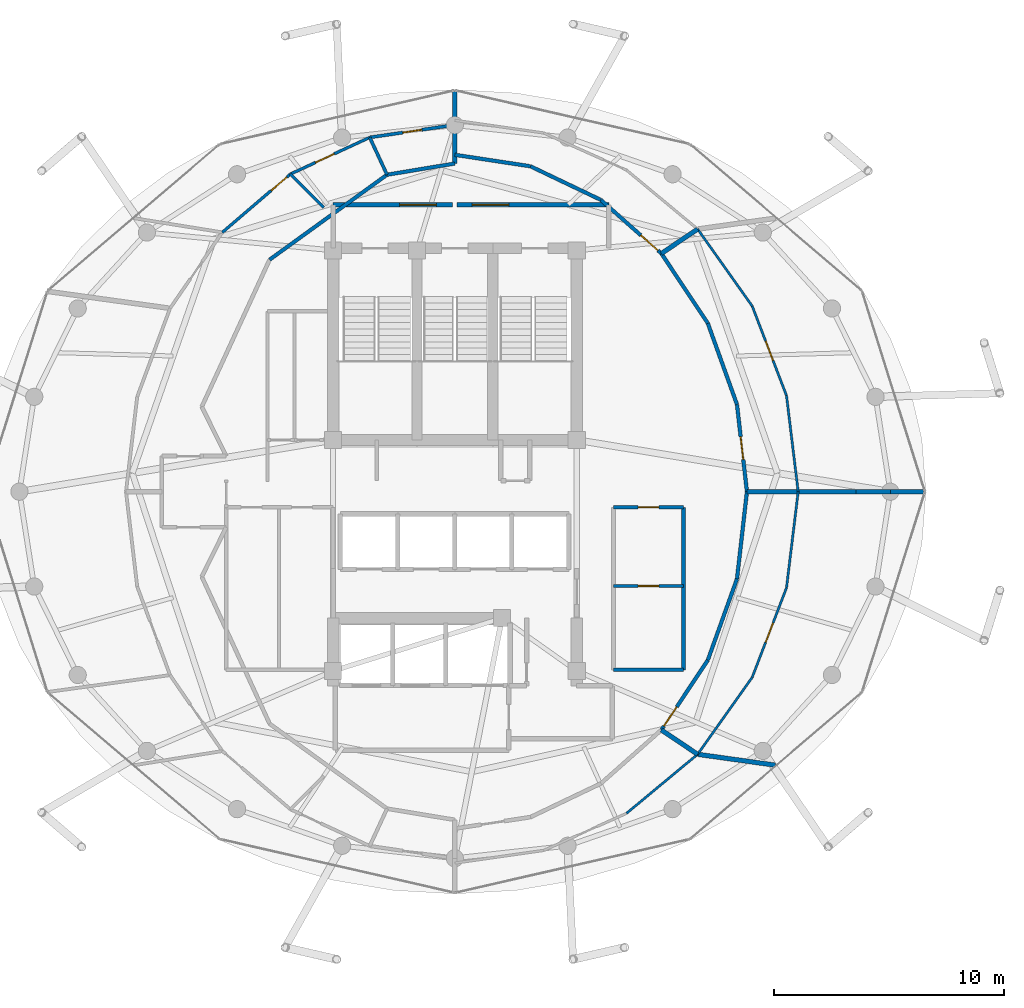
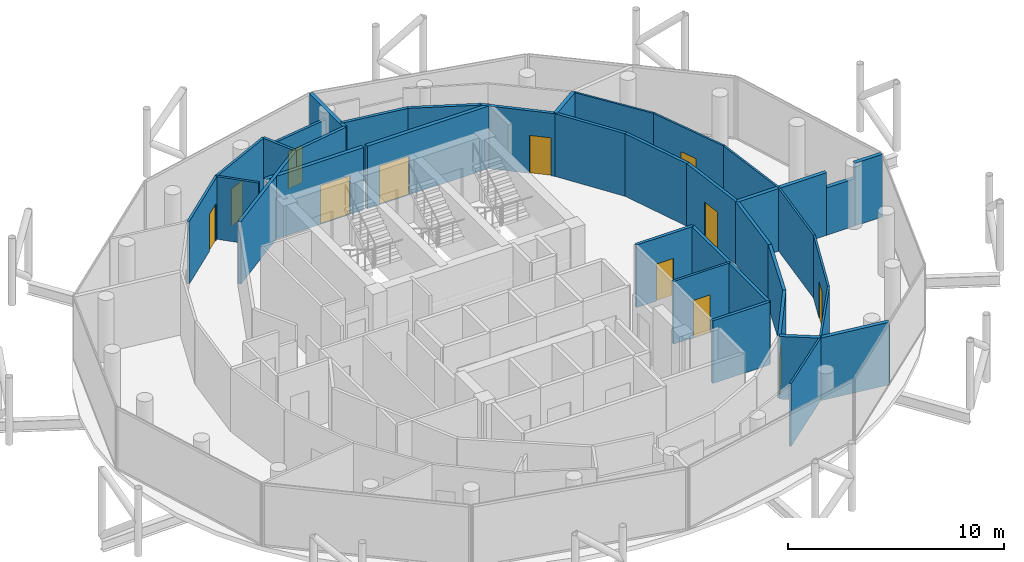
# One storey, part 22 of 24: 37 walls, 12 doors, 12 openings.
"""IFC4 building model written with IfcOpenShell, lengths in metres."""

from ifc_helpers import new_model, si_unit, direction, frame, frame_2d, origin, place, context, subcontext, project, spatial, rectangle, extrude, material, layer, layer_set, type_object, element, fill, save


model = new_model("IFC4")

# Units and contexts
model_context = context("Model", 3, precision=1e-05, world=origin(), true_north=direction((0.0, 1.0)))
body_context = subcontext(model_context, "Body", "Model", "MODEL_VIEW")
ifc_project = project(units=[si_unit("LENGTHUNIT", "METRE"), si_unit("AREAUNIT", "SQUARE_METRE"), si_unit("VOLUMEUNIT", "CUBIC_METRE"), si_unit("PLANEANGLEUNIT", "RADIAN"), si_unit("MASSUNIT", "GRAM", prefix="KILO")], contexts=[model_context])

# Site, building, storey
site_placement = place(None, origin())
site = spatial("IfcSite", under=ifc_project, at=site_placement, CompositionType="ELEMENT")
building_placement = place(site_placement, origin())
building = spatial("IfcBuilding", under=site, at=building_placement, Name="Nuhasar Tower", CompositionType="ELEMENT")
storey_placement = place(building_placement, frame((0.0, 0.0, 267.0)))
storey = spatial("IfcBuildingStorey", under=building, at=storey_placement, Name="L66", CompositionType="ELEMENT", Elevation=267.0)

# Walls
ifc_material_1 = material(Name="Gypsum Board", Category="gypsum")
ifc_layer_1 = layer(ifc_material_1, 0.159912109375)
ifc_layer_set_1 = layer_set([ifc_layer_1], Name="Gypsum Board")
wall_type_1 = type_object("IfcWallType", Name="WL-CORR-160", PredefinedType="PARTITIONING", material=ifc_layer_set_1)
wall_1_placement = place(storey_placement, frame((45.89990234375, 19.050048828125, 0.0), z_axis=(0.0, 0.0, 1.0), x_axis=(1.0, 0.0, 0.0)))
element("IfcWall", 1, at=wall_1_placement, inside=storey, type_object=wall_type_1, Name="L66 Interior Partition RECL-B2-S", PredefinedType="PARTITIONING", context=body_context, shape_type="SweptSolid", body=[
    extrude(rectangle(XDim=3.050048828125, YDim=0.159912109375, at=frame_2d((1.52490234375, 0.0))), origin(), (0.0, 0.0, 1.0), 3.5400390625),
])
wall_2_placement = place(storey_placement, frame((48.949951171875, 19.050048828125, 0.0), z_axis=(0.0, 0.0, 1.0), x_axis=(0.0, 1.0, 0.0)))
element("IfcWall", 2, at=wall_2_placement, inside=storey, type_object=wall_type_1, Name="L66 Interior Partition RECL-B2-E", PredefinedType="PARTITIONING", context=body_context, shape_type="SweptSolid", body=[
    extrude(rectangle(XDim=7.070068359375, YDim=0.159912109375, at=frame_2d((3.53515625, 0.0))), origin(), (0.0, 0.0, 1.0), 3.5400390625),
])

# Wall, opening, door
wall_3_placement = place(storey_placement, frame((48.949951171875, 26.1201171875, 0.0), z_axis=(0.0, 0.0, 1.0), x_axis=(-1.0, 0.0, 0.0)))
wall_3 = element("IfcWall", 3, at=wall_3_placement, inside=storey, type_object=wall_type_1, Name="L66 Interior Partition RECL-B2-N", PredefinedType="PARTITIONING", context=body_context, shape_type="SweptSolid", body=[
    extrude(rectangle(XDim=3.050048828125, YDim=0.159912109375, at=frame_2d((1.52490234375, 0.0))), origin(), (0.0, 0.0, 1.0), 3.5400390625),
])
opening_1_placement = place(wall_3_placement, frame((1.074951171875, 0.0, 0.0)))
opening_1 = element("IfcOpeningElement", 4, at=opening_1_placement, cuts=wall_3, Name="Opening DR-01", PredefinedType="OPENING", context=body_context, shape_type="SweptSolid", body=[
    extrude(rectangle(XDim=0.89990234375, YDim=2.10009765625, at=frame_2d((0.449951171875, 1.050048828125))), frame((0.0, 0.08984375, 0.0), z_axis=(0.0, -1.0, 0.0), x_axis=(1.0, 0.0, 0.0)), (0.0, 0.0, 1.0), 0.179931640625),
])
ifc_material_2 = material(Name="Timber Oak", Category="wood")
door_type_1 = type_object("IfcDoorType", Name="DR-ROOM-900", OperationType="NOTDEFINED", PredefinedType="DOOR", material=ifc_material_2)
door_1_placement = place(opening_1_placement, origin())
door_1 = element("IfcDoor", 5, at=door_1_placement, inside=storey, type_object=door_type_1, Name="L66 Utility Room Door", OperationType="SINGLE_SWING_LEFT", OverallHeight=2.10009765625, OverallWidth=0.89990234375, PredefinedType="DOOR", context=body_context, shape_type="SweptSolid", body=[
    extrude(rectangle(XDim=0.89990234375, YDim=2.10009765625, at=frame_2d((0.449951171875, 1.050048828125))), frame((0.0, 0.02490234375, 0.0), z_axis=(0.0, -1.0, 0.0), x_axis=(1.0, 0.0, 0.0)), (0.0, 0.0, 1.0), 0.050048828125),
])
fill(opening_1, door_1)

wall_4_placement = place(storey_placement, frame((50.007080078125, 19.469970703125, 0.0), z_axis=(0.0, 0.0, 1.0), x_axis=(-0.553958357067, -0.832544376376, 0.0)))
wall_4 = element("IfcWall", 6, at=wall_4_placement, inside=storey, type_object=wall_type_1, Name="L66 Interior Partition CORR-42", PredefinedType="PARTITIONING", context=body_context, shape_type="SweptSolid", body=[
    extrude(rectangle(XDim=3.646484375, YDim=0.159912109375, at=frame_2d((1.8232421875, 0.0))), origin(), (0.0, 0.0, 1.0), 3.5400390625),
])
opening_2_placement = place(wall_4_placement, frame((2.447021484375, 0.0, 0.0)))
opening_2 = element("IfcOpeningElement", 7, at=opening_2_placement, cuts=wall_4, Name="Opening DU-02", PredefinedType="OPENING", context=body_context, shape_type="SweptSolid", body=[
    extrude(rectangle(XDim=1.0, YDim=2.14990234375, at=frame_2d((0.5, 1.074951171875))), frame((0.0, 0.08984375, 0.0), z_axis=(0.0, -1.0, 0.0), x_axis=(1.0, 0.0, 0.0)), (0.0, 0.0, 1.0), 0.179931640625),
])
door_type_2 = type_object("IfcDoorType", Name="DR-FLAT-FD60-1000", OperationType="NOTDEFINED", PredefinedType="DOOR", material=ifc_material_2)
door_2_placement = place(opening_2_placement, origin())
door_2 = element("IfcDoor", 8, at=door_2_placement, inside=storey, type_object=door_type_2, Name="L66 Family Secretariat Office 2 Entrance Door", OperationType="SINGLE_SWING_RIGHT", OverallHeight=2.14990234375, OverallWidth=1.0, PredefinedType="DOOR", context=body_context, shape_type="SweptSolid", body=[
    extrude(rectangle(XDim=1.0, YDim=2.14990234375, at=frame_2d((0.5, 1.074951171875))), frame((0.0, 0.02490234375, 0.0), z_axis=(0.0, -1.0, 0.0), x_axis=(1.0, 0.0, 0.0)), (0.0, 0.0, 1.0), 0.050048828125),
])
fill(opening_2, door_2)

# Walls
wall_5_placement = place(storey_placement, frame((50.007080078125, 19.469970703125, 0.0), z_axis=(0.0, 0.0, 1.0), x_axis=(0.338015292257, 0.941140617655, 0.0)))
element("IfcWall", 9, at=wall_5_placement, inside=storey, type_object=wall_type_1, Name="L66 Interior Partition CORR-44", PredefinedType="PARTITIONING", context=body_context, shape_type="SweptSolid", body=[
    extrude(rectangle(XDim=3.75732421875, YDim=0.159912109375, at=frame_2d((1.878662109375, 0.0))), origin(), (0.0, 0.0, 1.0), 3.5400390625),
])
wall_6_placement = place(storey_placement, frame((51.277099609375, 23.006103515625, 0.0), z_axis=(0.0, 0.0, 1.0), x_axis=(0.113357256171, 0.993554292665, 0.0)))
element("IfcWall", 10, at=wall_6_placement, inside=storey, type_object=wall_type_1, Name="L66 Interior Partition CORR-46", PredefinedType="PARTITIONING", context=body_context, shape_type="SweptSolid", body=[
    extrude(rectangle(XDim=3.818603515625, YDim=0.159912109375, at=frame_2d((1.9091796875, 0.0))), origin(), (0.0, 0.0, 1.0), 3.5400390625),
])

# Wall, opening, door
wall_7_placement = place(storey_placement, frame((51.277099609375, 30.593994140625, 0.0), z_axis=(0.0, 0.0, 1.0), x_axis=(0.113357256171, -0.993554292665, 0.0)))
wall_7 = element("IfcWall", 11, at=wall_7_placement, inside=storey, type_object=wall_type_1, Name="L66 Interior Partition CORR-00", PredefinedType="PARTITIONING", context=body_context, shape_type="SweptSolid", body=[
    extrude(rectangle(XDim=3.818603515625, YDim=0.159912109375, at=frame_2d((1.9091796875, 0.0))), origin(), (0.0, 0.0, 1.0), 3.5400390625),
])
opening_3_placement = place(wall_7_placement, frame((1.408935546875, 0.0, 0.0)))
opening_3 = element("IfcOpeningElement", 12, at=opening_3_placement, cuts=wall_7, Name="Opening DU-02", PredefinedType="OPENING", context=body_context, shape_type="SweptSolid", body=[
    extrude(rectangle(XDim=1.0, YDim=2.14990234375, at=frame_2d((0.5, 1.074951171875))), frame((0.0, 0.08984375, 0.0), z_axis=(0.0, -1.0, 0.0), x_axis=(1.0, 0.0, 0.0)), (0.0, 0.0, 1.0), 0.179931640625),
])
door_3_placement = place(opening_3_placement, origin())
door_3 = element("IfcDoor", 13, at=door_3_placement, inside=storey, type_object=door_type_2, Name="L66 Investment Desk Office 3 Entrance Door", OperationType="SINGLE_SWING_RIGHT", OverallHeight=2.14990234375, OverallWidth=1.0, PredefinedType="DOOR", context=body_context, shape_type="SweptSolid", body=[
    extrude(rectangle(XDim=1.0, YDim=2.14990234375, at=frame_2d((0.5, 1.074951171875))), frame((0.0, 0.02490234375, 0.0), z_axis=(0.0, -1.0, 0.0), x_axis=(1.0, 0.0, 0.0)), (0.0, 0.0, 1.0), 0.050048828125),
])
fill(opening_3, door_3)

# Walls
wall_8_placement = place(storey_placement, frame((51.277099609375, 30.593994140625, 0.0), z_axis=(0.0, 0.0, 1.0), x_axis=(-0.338035964219, 0.941133192962, 0.0)))
element("IfcWall", 14, at=wall_8_placement, inside=storey, type_object=wall_type_1, Name="L66 Interior Partition CORR-02", PredefinedType="PARTITIONING", context=body_context, shape_type="SweptSolid", body=[
    extrude(rectangle(XDim=3.757080078125, YDim=0.159912109375, at=frame_2d((1.87841796875, 0.0))), origin(), (0.0, 0.0, 1.0), 3.5400390625),
])
wall_9_placement = place(storey_placement, frame((50.007080078125, 34.1298828125, 0.0), z_axis=(0.0, 0.0, 1.0), x_axis=(-0.553927480624, 0.832564920117, 0.0)))
element("IfcWall", 15, at=wall_9_placement, inside=storey, type_object=wall_type_1, Name="L66 Interior Partition CORR-04", PredefinedType="PARTITIONING", context=body_context, shape_type="SweptSolid", body=[
    extrude(rectangle(XDim=3.646728515625, YDim=0.159912109375, at=frame_2d((1.8232421875, 0.0))), origin(), (0.0, 0.0, 1.0), 3.5400390625),
])

# Wall, opening, door
wall_10_placement = place(storey_placement, frame((45.35498046875, 39.49609375, 0.0), z_axis=(0.0, 0.0, 1.0), x_axis=(0.748756574311, -0.662845074226, 0.0)))
wall_10 = element("IfcWall", 16, at=wall_10_placement, inside=storey, type_object=wall_type_1, Name="L66 Interior Partition CORR-06", PredefinedType="PARTITIONING", context=body_context, shape_type="SweptSolid", body=[
    extrude(rectangle(XDim=3.515380859375, YDim=0.159912109375, at=frame_2d((1.7578125, 0.0))), origin(), (0.0, 0.0, 1.0), 3.5400390625),
])
opening_4_placement = place(wall_10_placement, frame((2.31494140625, 0.0, 0.0)))
opening_4 = element("IfcOpeningElement", 17, at=opening_4_placement, cuts=wall_10, Name="Opening DU-02", PredefinedType="OPENING", context=body_context, shape_type="SweptSolid", body=[
    extrude(rectangle(XDim=1.0, YDim=2.14990234375, at=frame_2d((0.5, 1.074951171875))), frame((0.0, 0.08984375, 0.0), z_axis=(0.0, -1.0, 0.0), x_axis=(1.0, 0.0, 0.0)), (0.0, 0.0, 1.0), 0.179931640625),
])
door_4_placement = place(opening_4_placement, origin())
door_4 = element("IfcDoor", 18, at=door_4_placement, inside=storey, type_object=door_type_2, Name="L66 Diplomatic Briefing Room Entrance Door", OperationType="SINGLE_SWING_RIGHT", OverallHeight=2.14990234375, OverallWidth=1.0, PredefinedType="DOOR", context=body_context, shape_type="SweptSolid", body=[
    extrude(rectangle(XDim=1.0, YDim=2.14990234375, at=frame_2d((0.5, 1.074951171875))), frame((0.0, 0.02490234375, 0.0), z_axis=(0.0, -1.0, 0.0), x_axis=(1.0, 0.0, 0.0)), (0.0, 0.0, 1.0), 0.050048828125),
])
fill(opening_4, door_4)

# Walls
wall_11_placement = place(storey_placement, frame((45.35498046875, 39.49609375, 0.0), z_axis=(0.0, 0.0, 1.0), x_axis=(-0.902360348414, 0.430982368097, 0.0)))
element("IfcWall", 19, at=wall_11_placement, inside=storey, type_object=wall_type_1, Name="L66 Interior Partition CORR-08", PredefinedType="PARTITIONING", context=body_context, shape_type="SweptSolid", body=[
    extrude(rectangle(XDim=3.396484375, YDim=0.159912109375, at=frame_2d((1.6982421875, 0.0))), origin(), (0.0, 0.0, 1.0), 3.5400390625),
])
wall_12_placement = place(storey_placement, frame((42.2900390625, 40.9599609375, 0.0), z_axis=(0.0, 0.0, 1.0), x_axis=(-0.988648231668, 0.150248707217, 0.0)))
element("IfcWall", 20, at=wall_12_placement, inside=storey, type_object=wall_type_1, Name="L66 Interior Partition CORR-10", PredefinedType="PARTITIONING", context=body_context, shape_type="SweptSolid", body=[
    extrude(rectangle(XDim=3.327880859375, YDim=0.159912109375, at=frame_2d((1.6640625, 0.0))), origin(), (0.0, 0.0, 1.0), 3.5400390625),
])
wall_13_placement = place(storey_placement, frame((39.0, 41.080078125, 0.0), z_axis=(0.0, 0.0, 1.0), x_axis=(-0.986650832406, -0.162850038111, 0.0)))
element("IfcWall", 21, at=wall_13_placement, inside=storey, type_object=wall_type_1, Name="L66 Interior Partition UWEST-CORE-N1-12", PredefinedType="PARTITIONING", context=body_context, shape_type="SweptSolid", body=[
    extrude(rectangle(XDim=2.990966796875, YDim=0.159912109375, at=frame_2d((1.49560546875, 0.0))), origin(), (0.0, 0.0, 1.0), 3.5400390625),
])
wall_14_placement = place(storey_placement, frame((36.049072265625, 40.593017578125, 0.0), z_axis=(0.0, 0.0, 1.0), x_axis=(-0.810271736342, -0.58605436035, 0.0)))
element("IfcWall", 22, at=wall_14_placement, inside=storey, type_object=wall_type_1, Name="L66 Interior Partition UWEST-CORE-N2-14", PredefinedType="PARTITIONING", context=body_context, shape_type="SweptSolid", body=[
    extrude(rectangle(XDim=6.306640625, YDim=0.159912109375, at=frame_2d((3.1533203125, 0.0))), origin(), (0.0, 0.0, 1.0), 3.5400390625),
])

# Wall, opening, door
ifc_material_3 = material(Name="Concrete C45/55", Category="concrete")
ifc_layer_2 = layer(ifc_material_3, 0.199951171875)
ifc_layer_set_2 = layer_set([ifc_layer_2], Name="Concrete C45/55")
wall_type_2 = type_object("IfcWallType", Name="WL-LOBBY-200", PredefinedType="SOLIDWALL", material=ifc_layer_set_2)
wall_15_placement = place(storey_placement, frame((38.89990234375, 39.280029296875, 0.0), z_axis=(0.0, 0.0, 1.0), x_axis=(-1.0, 0.0, 0.0)))
wall_15 = element("IfcWall", 23, at=wall_15_placement, inside=storey, type_object=wall_type_2, Name="L66 Interior Partition NSL-N1", PredefinedType="SOLIDWALL", context=body_context, shape_type="SweptSolid", body=[
    extrude(rectangle(XDim=5.199951171875, YDim=0.199951171875, at=frame_2d((2.60009765625, 0.0))), origin(), (0.0, 0.0, 1.0), 3.5400390625),
])
opening_5_placement = place(wall_15_placement, frame((0.7080078125, 0.0, 0.0)))
opening_5 = element("IfcOpeningElement", 24, at=opening_5_placement, cuts=wall_15, Name="Opening DC-01", PredefinedType="OPENING", context=body_context, shape_type="SweptSolid", body=[
    extrude(rectangle(XDim=1.60009765625, YDim=2.199951171875, at=frame_2d((0.800048828125, 1.10009765625))), frame((0.0, 0.10986328125, 0.0), z_axis=(0.0, -1.0, 0.0), x_axis=(1.0, 0.0, 0.0)), (0.0, 0.0, 1.0), 0.219970703125),
])
ifc_material_4 = material(Name="Steel S355", Category="steel")
door_type_3 = type_object("IfcDoorType", Name="DR-CORR-FD60-1600", OperationType="DOUBLE_DOOR_SINGLE_SWING", PredefinedType="DOOR", material=ifc_material_4)
door_5_placement = place(opening_5_placement, origin())
door_5 = element("IfcDoor", 25, at=door_5_placement, inside=storey, type_object=door_type_3, Name="L66 North Stair Lobby West Door", OperationType="DOUBLE_DOOR_SINGLE_SWING", OverallHeight=2.199951171875, OverallWidth=1.60009765625, PredefinedType="DOOR", context=body_context, shape_type="SweptSolid", body=[
    extrude(rectangle(XDim=1.60009765625, YDim=2.199951171875, at=frame_2d((0.800048828125, 1.10009765625))), frame((0.0, 0.02490234375, 0.0), z_axis=(0.0, -1.0, 0.0), x_axis=(1.0, 0.0, 0.0)), (0.0, 0.0, 1.0), 0.050048828125),
])
fill(opening_5, door_5)

wall_16_placement = place(storey_placement, frame((45.699951171875, 39.280029296875, 0.0), z_axis=(0.0, 0.0, 1.0), x_axis=(-1.0, 0.0, 0.0)))
wall_16 = element("IfcWall", 26, at=wall_16_placement, inside=storey, type_object=wall_type_2, Name="L66 Interior Partition NSL-N2", PredefinedType="SOLIDWALL", context=body_context, shape_type="SweptSolid", body=[
    extrude(rectangle(XDim=6.599853515625, YDim=0.199951171875, at=frame_2d((3.2998046875, 0.0))), origin(), (0.0, 0.0, 1.0), 3.5400390625),
])
opening_6_placement = place(wall_16_placement, frame((4.35009765625, 0.0, 0.0)))
opening_6 = element("IfcOpeningElement", 27, at=opening_6_placement, cuts=wall_16, Name="Opening DC-01", PredefinedType="OPENING", context=body_context, shape_type="SweptSolid", body=[
    extrude(rectangle(XDim=1.60009765625, YDim=2.199951171875, at=frame_2d((0.800048828125, 1.10009765625))), frame((0.0, 0.10986328125, 0.0), z_axis=(0.0, -1.0, 0.0), x_axis=(1.0, 0.0, 0.0)), (0.0, 0.0, 1.0), 0.219970703125),
])
door_6_placement = place(opening_6_placement, origin())
door_6 = element("IfcDoor", 28, at=door_6_placement, inside=storey, type_object=door_type_3, Name="L66 North Stair Lobby East Door", OperationType="DOUBLE_DOOR_SINGLE_SWING", OverallHeight=2.199951171875, OverallWidth=1.60009765625, PredefinedType="DOOR", context=body_context, shape_type="SweptSolid", body=[
    extrude(rectangle(XDim=1.60009765625, YDim=2.199951171875, at=frame_2d((0.800048828125, 1.10009765625))), frame((0.0, 0.02490234375, 0.0), z_axis=(0.0, -1.0, 0.0), x_axis=(1.0, 0.0, 0.0)), (0.0, 0.0, 1.0), 0.050048828125),
])
fill(opening_6, door_6)

# Walls
ifc_material_5 = material(Name="Aluminium 6063-T6", Category="aluminium")
ifc_layer_3 = layer(ifc_material_5, 0.10009765625)
ifc_layer_set_3 = layer_set([ifc_layer_3], Name="Aluminium 6063-T6")
wall_type_3 = type_object("IfcWallType", Name="WL-MOVABLE-100", PredefinedType="MOVABLE", material=ifc_layer_set_3)
wall_17_placement = place(storey_placement, frame((46.469970703125, 12.804931640625, 0.0), z_axis=(0.0, 0.0, 1.0), x_axis=(0.769468998704, 0.638684162974, 0.0)))
element("IfcWall", 29, at=wall_17_placement, inside=storey, type_object=wall_type_3, Name="L66 Interior Partition UMID5-01-40", PredefinedType="MOVABLE", context=body_context, shape_type="SweptSolid", body=[
    extrude(rectangle(XDim=4.02099609375, YDim=0.10009765625, at=frame_2d((2.010498046875, 0.0))), origin(), (0.0, 0.0, 1.0), 3.5400390625),
])
wall_18_placement = place(storey_placement, frame((49.56396484375, 15.373046875, 0.0), z_axis=(0.0, 0.0, 1.0), x_axis=(0.578550422028, 0.815646620278, 0.0)))
element("IfcWall", 30, at=wall_18_placement, inside=storey, type_object=wall_type_3, Name="L66 Interior Partition UMID5-02-42", PredefinedType="MOVABLE", context=body_context, shape_type="SweptSolid", body=[
    extrude(rectangle(XDim=4.103515625, YDim=0.10009765625, at=frame_2d((2.0517578125, 0.0))), origin(), (0.0, 0.0, 1.0), 3.5400390625),
])

# Wall, opening, door
wall_19_placement = place(storey_placement, frame((51.93798828125, 18.719970703125, 0.0), z_axis=(0.0, 0.0, 1.0), x_axis=(0.357743876103, 0.933819746584, 0.0)))
wall_19 = element("IfcWall", 31, at=wall_19_placement, inside=storey, type_object=wall_type_3, Name="L66 Interior Partition UMID5-02-44", PredefinedType="MOVABLE", context=body_context, shape_type="SweptSolid", body=[
    extrude(rectangle(XDim=4.173095703125, YDim=0.10009765625, at=frame_2d((2.08642578125, 0.0))), origin(), (0.0, 0.0, 1.0), 3.5400390625),
])
opening_7_placement = place(wall_19_placement, frame((1.636962890625, 0.0, 0.0)))
opening_7 = element("IfcOpeningElement", 32, at=opening_7_placement, cuts=wall_19, Name="Opening DR-01", PredefinedType="OPENING", context=body_context, shape_type="SweptSolid", body=[
    extrude(rectangle(XDim=0.89990234375, YDim=2.10009765625, at=frame_2d((0.449951171875, 1.050048828125))), frame((0.0, 0.06005859375, 0.0), z_axis=(0.0, -1.0, 0.0), x_axis=(1.0, 0.0, 0.0)), (0.0, 0.0, 1.0), 0.1201171875),
])
door_7_placement = place(opening_7_placement, origin())
door_7 = element("IfcDoor", 33, at=door_7_placement, inside=storey, type_object=door_type_1, Name="L66 Family Secretariat Office 2 Inner Door", OperationType="SINGLE_SWING_RIGHT", OverallHeight=2.10009765625, OverallWidth=0.89990234375, PredefinedType="DOOR", context=body_context, shape_type="SweptSolid", body=[
    extrude(rectangle(XDim=0.89990234375, YDim=2.10009765625, at=frame_2d((0.449951171875, 1.050048828125))), frame((0.0, 0.02490234375, 0.0), z_axis=(0.0, -1.0, 0.0), x_axis=(1.0, 0.0, 0.0)), (0.0, 0.0, 1.0), 0.050048828125),
])
fill(opening_7, door_7)

# Walls
wall_20_placement = place(storey_placement, frame((53.430908203125, 22.616943359375, 0.0), z_axis=(0.0, 0.0, 1.0), x_axis=(0.120796783092, 0.992677257317, 0.0)))
element("IfcWall", 34, at=wall_20_placement, inside=storey, type_object=wall_type_3, Name="L66 Interior Partition UMID5-02-46", PredefinedType="MOVABLE", context=body_context, shape_type="SweptSolid", body=[
    extrude(rectangle(XDim=4.2138671875, YDim=0.10009765625, at=frame_2d((2.10693359375, 0.0))), origin(), (0.0, 0.0, 1.0), 3.5400390625),
])
wall_21_placement = place(storey_placement, frame((53.93994140625, 26.800048828125, 0.0), z_axis=(0.0, 0.0, 1.0), x_axis=(-0.120803730736, 0.992676411848, 0.0)))
element("IfcWall", 35, at=wall_21_placement, inside=storey, type_object=wall_type_3, Name="L66 Interior Partition UMID5-03-00", PredefinedType="MOVABLE", context=body_context, shape_type="SweptSolid", body=[
    extrude(rectangle(XDim=4.213623046875, YDim=0.10009765625, at=frame_2d((2.10693359375, 0.0))), origin(), (0.0, 0.0, 1.0), 3.5400390625),
])

# Wall, opening, door
wall_22_placement = place(storey_placement, frame((53.430908203125, 30.98291015625, 0.0), z_axis=(0.0, 0.0, 1.0), x_axis=(-0.357743876103, 0.933819746584, 0.0)))
wall_22 = element("IfcWall", 36, at=wall_22_placement, inside=storey, type_object=wall_type_3, Name="L66 Interior Partition UMID5-03-02", PredefinedType="MOVABLE", context=body_context, shape_type="SweptSolid", body=[
    extrude(rectangle(XDim=4.173095703125, YDim=0.10009765625, at=frame_2d((2.08642578125, 0.0))), origin(), (0.0, 0.0, 1.0), 3.5400390625),
])
opening_8_placement = place(wall_22_placement, frame((1.636962890625, 0.0, 0.0)))
opening_8 = element("IfcOpeningElement", 37, at=opening_8_placement, cuts=wall_22, Name="Opening DR-01", PredefinedType="OPENING", context=body_context, shape_type="SweptSolid", body=[
    extrude(rectangle(XDim=0.89990234375, YDim=2.10009765625, at=frame_2d((0.449951171875, 1.050048828125))), frame((0.0, 0.06005859375, 0.0), z_axis=(0.0, -1.0, 0.0), x_axis=(1.0, 0.0, 0.0)), (0.0, 0.0, 1.0), 0.1201171875),
])
door_8_placement = place(opening_8_placement, origin())
door_8 = element("IfcDoor", 38, at=door_8_placement, inside=storey, type_object=door_type_1, Name="L66 Investment Desk Office 3 Inner Door", OperationType="SINGLE_SWING_LEFT", OverallHeight=2.10009765625, OverallWidth=0.89990234375, PredefinedType="DOOR", context=body_context, shape_type="SweptSolid", body=[
    extrude(rectangle(XDim=0.89990234375, YDim=2.10009765625, at=frame_2d((0.449951171875, 1.050048828125))), frame((0.0, 0.02490234375, 0.0), z_axis=(0.0, -1.0, 0.0), x_axis=(1.0, 0.0, 0.0)), (0.0, 0.0, 1.0), 0.050048828125),
])
fill(opening_8, door_8)

# Wall
wall_23_placement = place(storey_placement, frame((51.93798828125, 34.8798828125, 0.0), z_axis=(0.0, 0.0, 1.0), x_axis=(-0.578522346771, 0.815666533754, 0.0)))
element("IfcWall", 39, at=wall_23_placement, inside=storey, type_object=wall_type_3, Name="L66 Interior Partition UMID5-03-04", PredefinedType="MOVABLE", context=body_context, shape_type="SweptSolid", body=[
    extrude(rectangle(XDim=4.103515625, YDim=0.10009765625, at=frame_2d((2.0517578125, 0.0))), origin(), (0.0, 0.0, 1.0), 3.5400390625),
])

# Wall, opening, door
ifc_layer_4 = layer(ifc_material_1, 0.125)
ifc_layer_set_4 = layer_set([ifc_layer_4], Name="Gypsum Board")
wall_type_4 = type_object("IfcWallType", Name="WL-PART-125", PredefinedType="PARTITIONING", material=ifc_layer_set_4)
wall_24_placement = place(storey_placement, frame((48.949951171875, 22.699951171875, 0.0), z_axis=(0.0, 0.0, 1.0), x_axis=(-1.0, 0.0, 0.0)))
wall_24 = element("IfcWall", 40, at=wall_24_placement, inside=storey, type_object=wall_type_4, Name="L66 Interior Partition RECL-B2-M", PredefinedType="PARTITIONING", context=body_context, shape_type="SweptSolid", body=[
    extrude(rectangle(XDim=3.050048828125, YDim=0.125, at=frame_2d((1.52490234375, 0.0))), origin(), (0.0, 0.0, 1.0), 3.5400390625),
])
opening_9_placement = place(wall_24_placement, frame((1.074951171875, 0.0, 0.0)))
opening_9 = element("IfcOpeningElement", 41, at=opening_9_placement, cuts=wall_24, Name="Opening DR-01", PredefinedType="OPENING", context=body_context, shape_type="SweptSolid", body=[
    extrude(rectangle(XDim=0.89990234375, YDim=2.10009765625, at=frame_2d((0.449951171875, 1.050048828125))), frame((0.0, 0.072509765625, 0.0), z_axis=(0.0, -1.0, 0.0), x_axis=(1.0, 0.0, 0.0)), (0.0, 0.0, 1.0), 0.14501953125),
])
door_9_placement = place(opening_9_placement, origin())
door_9 = element("IfcDoor", 42, at=door_9_placement, inside=storey, type_object=door_type_1, Name="L66 Inner Vault Door", OperationType="SINGLE_SWING_RIGHT", OverallHeight=2.10009765625, OverallWidth=0.89990234375, PredefinedType="DOOR", context=body_context, shape_type="SweptSolid", body=[
    extrude(rectangle(XDim=0.89990234375, YDim=2.10009765625, at=frame_2d((0.449951171875, 1.050048828125))), frame((0.0, 0.02490234375, 0.0), z_axis=(0.0, -1.0, 0.0), x_axis=(1.0, 0.0, 0.0)), (0.0, 0.0, 1.0), 0.050048828125),
])
fill(opening_9, door_9)

# Wall
wall_25_placement = place(storey_placement, frame((33.300048828125, 39.1669921875, 0.0), z_axis=(0.0, 0.0, 1.0), x_axis=(-0.707106781187, 0.707106781187, 0.0)))
element("IfcWall", 43, at=wall_25_placement, inside=storey, type_object=wall_type_4, Name="L66 Interior Partition USI-1-KD", PredefinedType="PARTITIONING", context=body_context, shape_type="SweptSolid", body=[
    extrude(rectangle(XDim=2.057861328125, YDim=0.125, at=frame_2d((1.02880859375, 0.0))), origin(), (0.0, 0.0, 1.0), 3.5400390625),
])

# Wall, opening, door
wall_26_placement = place(storey_placement, frame((31.844970703125, 40.6220703125, 0.0), z_axis=(0.0, 0.0, 1.0), x_axis=(0.907833398029, 0.419331040377, 0.0)))
wall_26 = element("IfcWall", 44, at=wall_26_placement, inside=storey, type_object=wall_type_4, Name="L66 Interior Partition USM-1-K-14", PredefinedType="PARTITIONING", context=body_context, shape_type="SweptSolid", body=[
    extrude(rectangle(XDim=3.80126953125, YDim=0.125, at=frame_2d((1.900634765625, 0.0))), origin(), (0.0, 0.0, 1.0), 3.5400390625),
])
opening_10_placement = place(wall_26_placement, frame((1.199951171875, 0.0, 0.0)))
opening_10 = element("IfcOpeningElement", 45, at=opening_10_placement, cuts=wall_26, Name="Opening DR-01", PredefinedType="OPENING", context=body_context, shape_type="SweptSolid", body=[
    extrude(rectangle(XDim=0.89990234375, YDim=2.10009765625, at=frame_2d((0.449951171875, 1.050048828125))), frame((0.0, 0.072509765625, 0.0), z_axis=(0.0, -1.0, 0.0), x_axis=(1.0, 0.0, 0.0)), (0.0, 0.0, 1.0), 0.14501953125),
])
door_10_placement = place(opening_10_placement, origin())
door_10 = element("IfcDoor", 46, at=door_10_placement, inside=storey, type_object=door_type_1, Name="L66 North-West Sky Home Kitchen Door", OperationType="SINGLE_SWING_LEFT", OverallHeight=2.10009765625, OverallWidth=0.89990234375, PredefinedType="DOOR", context=body_context, shape_type="SweptSolid", body=[
    extrude(rectangle(XDim=0.89990234375, YDim=2.10009765625, at=frame_2d((0.449951171875, 1.050048828125))), frame((0.0, 0.02490234375, 0.0), z_axis=(0.0, -1.0, 0.0), x_axis=(1.0, 0.0, 0.0)), (0.0, 0.0, 1.0), 0.050048828125),
])
fill(opening_10, door_10)

wall_27_placement = place(storey_placement, frame((28.881103515625, 38.0849609375, 0.0), z_axis=(0.0, 0.0, 1.0), x_axis=(0.759680489992, 0.650296511697, 0.0)))
wall_27 = element("IfcWall", 47, at=wall_27_placement, inside=storey, type_object=wall_type_4, Name="L66 Interior Partition USM-1-D-16", PredefinedType="PARTITIONING", context=body_context, shape_type="SweptSolid", body=[
    extrude(rectangle(XDim=3.9013671875, YDim=0.125, at=frame_2d((1.95068359375, 0.0))), origin(), (0.0, 0.0, 1.0), 3.5400390625),
])
opening_11_placement = place(wall_27_placement, frame((2.801025390625, 0.0, 0.0)))
opening_11 = element("IfcOpeningElement", 48, at=opening_11_placement, cuts=wall_27, Name="Opening DR-01", PredefinedType="OPENING", context=body_context, shape_type="SweptSolid", body=[
    extrude(rectangle(XDim=0.89990234375, YDim=2.10009765625, at=frame_2d((0.449951171875, 1.050048828125))), frame((0.0, 0.072509765625, 0.0), z_axis=(0.0, -1.0, 0.0), x_axis=(1.0, 0.0, 0.0)), (0.0, 0.0, 1.0), 0.14501953125),
])
door_11_placement = place(opening_11_placement, origin())
door_11 = element("IfcDoor", 49, at=door_11_placement, inside=storey, type_object=door_type_1, Name="L66 North-West Sky Home Master Bedroom Door", OperationType="SINGLE_SWING_RIGHT", OverallHeight=2.10009765625, OverallWidth=0.89990234375, PredefinedType="DOOR", context=body_context, shape_type="SweptSolid", body=[
    extrude(rectangle(XDim=0.89990234375, YDim=2.10009765625, at=frame_2d((0.449951171875, 1.050048828125))), frame((0.0, 0.02490234375, 0.0), z_axis=(0.0, -1.0, 0.0), x_axis=(1.0, 0.0, 0.0)), (0.0, 0.0, 1.0), 0.050048828125),
])
fill(opening_11, door_11)

# Walls
ifc_material_6 = material(Name="Concrete C40/50 precast", Category="concrete")
ifc_layer_5 = layer(ifc_material_6, 0.199951171875)
ifc_layer_set_5 = layer_set([ifc_layer_5], Name="Concrete C40/50 precast")
wall_type_5 = type_object("IfcWallType", Name="WL-UNIT-200", PredefinedType="PARTITIONING", material=ifc_layer_set_5)
wall_28_placement = place(storey_placement, frame((39.0, 41.080078125, 0.0), z_axis=(0.0, 0.0, 1.0), x_axis=(0.0, 1.0, 0.0)))
element("IfcWall", 50, at=wall_28_placement, inside=storey, type_object=wall_type_5, Name="L66 Interior Partition URAD-12-NW", PredefinedType="PARTITIONING", context=body_context, shape_type="SweptSolid", body=[
    extrude(rectangle(XDim=3.14501953125, YDim=0.199951171875, at=frame_2d((1.572509765625, 0.0))), origin(), (0.0, 0.0, 1.0), 3.5400390625),
])
wall_29_placement = place(storey_placement, frame((47.987060546875, 16.43408203125, 0.0), z_axis=(0.0, 0.0, 1.0), x_axis=(0.829671269714, -0.558252258581, 0.0)))
element("IfcWall", 51, at=wall_29_placement, inside=storey, type_object=wall_type_5, Name="L66 Interior Partition URAD5-42-S1", PredefinedType="PARTITIONING", context=body_context, shape_type="SweptSolid", body=[
    extrude(rectangle(XDim=1.900634765625, YDim=0.199951171875, at=frame_2d((0.9501953125, 0.0))), origin(), (0.0, 0.0, 1.0), 3.5400390625),
])
wall_30_placement = place(storey_placement, frame((49.56396484375, 15.373046875, 0.0), z_axis=(0.0, 0.0, 1.0), x_axis=(0.99034390299, -0.138632441405, 0.0)))
element("IfcWall", 52, at=wall_30_placement, inside=storey, type_object=wall_type_5, Name="L66 Interior Partition URAD5-42-S2", PredefinedType="PARTITIONING", context=body_context, shape_type="SweptSolid", body=[
    extrude(rectangle(XDim=3.419921875, YDim=0.199951171875, at=frame_2d((1.7099609375, 0.0))), origin(), (0.0, 0.0, 1.0), 3.5400390625),
])
wall_31_placement = place(storey_placement, frame((51.7099609375, 26.800048828125, 0.0), z_axis=(0.0, 0.0, 1.0), x_axis=(1.0, 0.0, 0.0)))
element("IfcWall", 53, at=wall_31_placement, inside=storey, type_object=wall_type_5, Name="L66 Interior Partition URAD5-00-S1", PredefinedType="PARTITIONING", context=body_context, shape_type="SweptSolid", body=[
    extrude(rectangle(XDim=2.22998046875, YDim=0.199951171875, at=frame_2d((1.114990234375, 0.0))), origin(), (0.0, 0.0, 1.0), 3.5400390625),
])
wall_32_placement = place(storey_placement, frame((53.93994140625, 26.800048828125, 0.0), z_axis=(0.0, 0.0, 1.0), x_axis=(1.0, 0.0, 0.0)))
element("IfcWall", 54, at=wall_32_placement, inside=storey, type_object=wall_type_5, Name="L66 Interior Partition URAD5-00-S2", PredefinedType="PARTITIONING", context=body_context, shape_type="SweptSolid", body=[
    extrude(rectangle(XDim=2.506103515625, YDim=0.199951171875, at=frame_2d((1.2529296875, 0.0))), origin(), (0.0, 0.0, 1.0), 3.5400390625),
])
wall_33_placement = place(storey_placement, frame((56.446044921875, 26.800048828125, 0.0), z_axis=(0.0, 0.0, 1.0), x_axis=(1.0, 0.0, 0.0)))
element("IfcWall", 55, at=wall_33_placement, inside=storey, type_object=wall_type_5, Name="L66 Interior Partition URAD5-00-S2", PredefinedType="PARTITIONING", context=body_context, shape_type="SweptSolid", body=[
    extrude(rectangle(XDim=1.52001953125, YDim=0.199951171875, at=frame_2d((0.760009765625, 0.0))), origin(), (0.0, 0.0, 1.0), 2.679931640625),
])
wall_34_placement = place(storey_placement, frame((57.966064453125, 26.800048828125, 0.0), z_axis=(0.0, 0.0, 1.0), x_axis=(1.0, 0.0, 0.0)))
element("IfcWall", 56, at=wall_34_placement, inside=storey, type_object=wall_type_5, Name="L66 Interior Partition URAD5-00-S2", PredefinedType="PARTITIONING", context=body_context, shape_type="SweptSolid", body=[
    extrude(rectangle(XDim=1.458984375, YDim=0.199951171875, at=frame_2d((0.7294921875, 0.0))), origin(), (0.0, 0.0, 1.0), 3.5400390625),
])
wall_35_placement = place(storey_placement, frame((47.987060546875, 37.166015625, 0.0), z_axis=(0.0, 0.0, 1.0), x_axis=(0.829671269714, 0.558252258581, 0.0)))
element("IfcWall", 57, at=wall_35_placement, inside=storey, type_object=wall_type_5, Name="L66 Interior Partition URAD5-06-S1", PredefinedType="PARTITIONING", context=body_context, shape_type="SweptSolid", body=[
    extrude(rectangle(XDim=1.900634765625, YDim=0.199951171875, at=frame_2d((0.9501953125, 0.0))), origin(), (0.0, 0.0, 1.0), 3.5400390625),
])
ifc_layer_6 = layer(ifc_material_6, 0.139892578125)
ifc_layer_set_6 = layer_set([ifc_layer_6], Name="Concrete C40/50 precast")
wall_type_6 = type_object("IfcWallType", Name="WL-WET-140", PredefinedType="PARTITIONING", material=ifc_layer_set_6)
wall_36_placement = place(storey_placement, frame((36.049072265625, 40.593017578125, 0.0), z_axis=(0.0, 0.0, 1.0), x_axis=(-0.420934907021, 0.907090846636, 0.0)))
element("IfcWall", 58, at=wall_36_placement, inside=storey, type_object=wall_type_6, Name="L66 Interior Partition USI-1-BK", PredefinedType="PARTITIONING", context=body_context, shape_type="SweptSolid", body=[
    extrude(rectangle(XDim=1.789306640625, YDim=0.139892578125, at=frame_2d((0.89453125, 0.0))), origin(), (0.0, 0.0, 1.0), 3.5400390625),
])

# Wall, opening, door
wall_37_placement = place(storey_placement, frame((35.2958984375, 42.216064453125, 0.0), z_axis=(0.0, 0.0, 1.0), x_axis=(0.989388931872, 0.145291229911, 0.0)))
wall_37 = element("IfcWall", 59, at=wall_37_placement, inside=storey, type_object=wall_type_6, Name="L66 Interior Partition USM-1-B-12", PredefinedType="PARTITIONING", context=body_context, shape_type="SweptSolid", body=[
    extrude(rectangle(XDim=3.743896484375, YDim=0.139892578125, at=frame_2d((1.8720703125, 0.0))), origin(), (0.0, 0.0, 1.0), 3.0),
])
opening_12_placement = place(wall_37_placement, frame((1.447021484375, 0.0, 0.0)))
opening_12 = element("IfcOpeningElement", 60, at=opening_12_placement, cuts=wall_37, Name="Opening DB-01", PredefinedType="OPENING", context=body_context, shape_type="SweptSolid", body=[
    extrude(rectangle(XDim=0.85009765625, YDim=2.10009765625, at=frame_2d((0.425048828125, 1.050048828125))), frame((0.0, 0.080078125, 0.0), z_axis=(0.0, -1.0, 0.0), x_axis=(1.0, 0.0, 0.0)), (0.0, 0.0, 1.0), 0.159912109375),
])
door_type_4 = type_object("IfcDoorType", Name="DR-BATH-850", OperationType="NOTDEFINED", PredefinedType="DOOR", material=ifc_material_2)
door_12_placement = place(opening_12_placement, origin())
door_12 = element("IfcDoor", 61, at=door_12_placement, inside=storey, type_object=door_type_4, Name="L66 North-West Sky Home En-Suite Door", OperationType="SINGLE_SWING_LEFT", OverallHeight=2.10009765625, OverallWidth=0.85009765625, PredefinedType="DOOR", context=body_context, shape_type="SweptSolid", body=[
    extrude(rectangle(XDim=0.85009765625, YDim=2.10009765625, at=frame_2d((0.425048828125, 1.050048828125))), frame((0.0, 0.02490234375, 0.0), z_axis=(0.0, -1.0, 0.0), x_axis=(1.0, 0.0, 0.0)), (0.0, 0.0, 1.0), 0.050048828125),
])
fill(opening_12, door_12)

save(model, "model.ifc")
